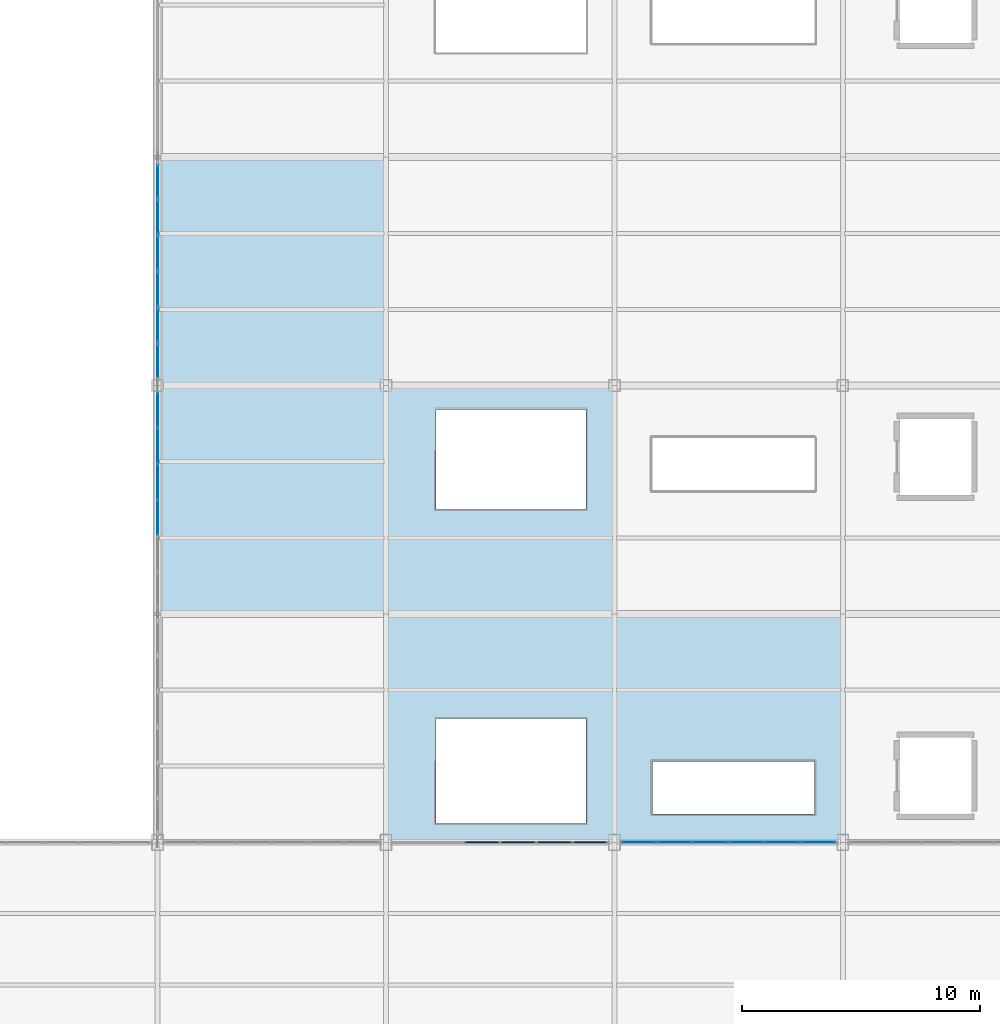
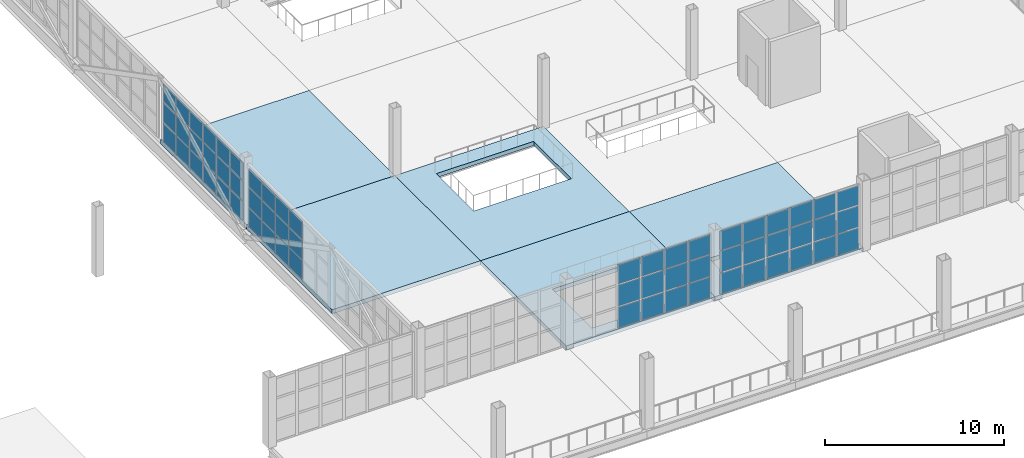
# One storey, part 83 of 120: 60 plates, 5 slabs, 4 elements without a shape of their own.
"""IFC4 building model written with IfcOpenShell, lengths in metres."""

from ifc_helpers import new_model, si_unit, direction, frame, origin, origin_2d, place, context, subcontext, project, spatial, polyline, rectangle, outline, extrude, material, layer, layer_set, type_object, element, aggregate, save


model = new_model("IFC4")

# Units and contexts
model_context = context("Model", 3, precision=1e-05, world=origin(), true_north=direction((0.0, 1.0)))
body_context = subcontext(model_context, "Body", "Model", "MODEL_VIEW")
ifc_project = project(units=[si_unit("LENGTHUNIT", "METRE"), si_unit("AREAUNIT", "SQUARE_METRE"), si_unit("VOLUMEUNIT", "CUBIC_METRE"), si_unit("PLANEANGLEUNIT", "RADIAN"), si_unit("MASSUNIT", "GRAM", prefix="KILO")], contexts=[model_context])

# Site, building, storey
site_placement = place(None, origin())
site = spatial("IfcSite", under=ifc_project, at=site_placement, CompositionType="ELEMENT")
building_placement = place(site_placement, origin())
building = spatial("IfcBuilding", under=site, at=building_placement, Name="Zarnetskaya Central Station", CompositionType="ELEMENT")
storey_placement = place(building_placement, frame((0.0, 0.0, 5.39990234375)))
storey = spatial("IfcBuildingStorey", under=building, at=storey_placement, Name="L01", CompositionType="ELEMENT", Elevation=5.39990234375)

# Curtain wall, plates
ifc_material_1 = material(Name="Low-E insulated glass", Category="glass")
ifc_layer_1 = layer(ifc_material_1, 0.172119140625, Name="Low-E insulated glass", Category="glass")
ifc_layer_set_1 = layer_set([ifc_layer_1], Name="Low-E insulated glass")
curtain_wall_type_1 = type_object("IfcCurtainWallType", Name="CW-SYS-14", PredefinedType="USERDEFINED", material=ifc_layer_set_1)
curtain_wall_1_placement = place(storey_placement, origin())
curtain_wall_1 = element("IfcCurtainWall", 1, at=curtain_wall_1_placement, inside=storey, type_object=curtain_wall_type_1, Name="Curtain wall CW-L01-081", ObjectType="CURTAIN WALL", PredefinedType="USERDEFINED")
ifc_layer_2 = layer(ifc_material_1, 0.031982421875, Name="Low-E insulated glass", Category="glass")
ifc_layer_set_2 = layer_set([ifc_layer_2], Name="Low-E insulated glass")
plate_type_1 = type_object("IfcPlateType", Name="CW-PAN-32", PredefinedType="CURTAIN_PANEL", material=ifc_layer_set_2)
plate_1_placement = place(storey_placement, frame((87.42578125, 67.199951171875, 0.0703125), z_axis=(0.0, 0.0, 1.0), x_axis=(1.0, 0.0, 0.0)))
plate_1 = element("IfcPlate", 2, at=plate_1_placement, type_object=plate_type_1, Name="CW-17 panel 1.1", PredefinedType="CURTAIN_PANEL", context=body_context, shape_type="SweptSolid", body=[
    extrude(rectangle(XDim=1.41162109375, YDim=0.031982421875, at=origin_2d()), origin(), (0.0, 0.0, 1.0), 1.407958984375),
])
plate_2_placement = place(storey_placement, frame((87.42578125, 67.199951171875, 1.5478515625), z_axis=(0.0, 0.0, 1.0), x_axis=(1.0, 0.0, 0.0)))
plate_2 = element("IfcPlate", 3, at=plate_2_placement, type_object=plate_type_1, Name="CW-17 panel 1.2", PredefinedType="CURTAIN_PANEL", context=body_context, shape_type="SweptSolid", body=[
    extrude(rectangle(XDim=1.41162109375, YDim=0.031982421875, at=origin_2d()), origin(), (0.0, 0.0, 1.0), 1.443115234375),
])
plate_3_placement = place(storey_placement, frame((87.42578125, 67.199951171875, 3.06103515625), z_axis=(0.0, 0.0, 1.0), x_axis=(1.0, 0.0, 0.0)))
plate_3 = element("IfcPlate", 4, at=plate_3_placement, type_object=plate_type_1, Name="CW-17 panel 1.3", PredefinedType="CURTAIN_PANEL", context=body_context, shape_type="SweptSolid", body=[
    extrude(rectangle(XDim=1.41162109375, YDim=0.031982421875, at=origin_2d()), origin(), (0.0, 0.0, 1.0), 1.319091796875),
])
plate_4_placement = place(storey_placement, frame((88.925048828125, 67.199951171875, 0.0703125), z_axis=(0.0, 0.0, 1.0), x_axis=(1.0, 0.0, 0.0)))
plate_4 = element("IfcPlate", 5, at=plate_4_placement, type_object=plate_type_1, Name="CW-17 panel 2.1", PredefinedType="CURTAIN_PANEL", context=body_context, shape_type="SweptSolid", body=[
    extrude(rectangle(XDim=1.44677734375, YDim=0.031982421875, at=origin_2d()), origin(), (0.0, 0.0, 1.0), 1.407958984375),
])
plate_5_placement = place(storey_placement, frame((88.925048828125, 67.199951171875, 1.5478515625), z_axis=(0.0, 0.0, 1.0), x_axis=(1.0, 0.0, 0.0)))
plate_5 = element("IfcPlate", 6, at=plate_5_placement, type_object=plate_type_1, Name="CW-17 panel 2.2", PredefinedType="CURTAIN_PANEL", context=body_context, shape_type="SweptSolid", body=[
    extrude(rectangle(XDim=1.44677734375, YDim=0.031982421875, at=origin_2d()), origin(), (0.0, 0.0, 1.0), 1.443115234375),
])
plate_6_placement = place(storey_placement, frame((88.925048828125, 67.199951171875, 3.06103515625), z_axis=(0.0, 0.0, 1.0), x_axis=(1.0, 0.0, 0.0)))
plate_6 = element("IfcPlate", 7, at=plate_6_placement, type_object=plate_type_1, Name="CW-17 panel 2.3", PredefinedType="CURTAIN_PANEL", context=body_context, shape_type="SweptSolid", body=[
    extrude(rectangle(XDim=1.44677734375, YDim=0.031982421875, at=origin_2d()), origin(), (0.0, 0.0, 1.0), 1.319091796875),
])
plate_7_placement = place(storey_placement, frame((90.441650390625, 67.199951171875, 0.0703125), z_axis=(0.0, 0.0, 1.0), x_axis=(1.0, 0.0, 0.0)))
plate_7 = element("IfcPlate", 8, at=plate_7_placement, type_object=plate_type_1, Name="CW-17 panel 3.1", PredefinedType="CURTAIN_PANEL", context=body_context, shape_type="SweptSolid", body=[
    extrude(rectangle(XDim=1.44677734375, YDim=0.031982421875, at=origin_2d()), origin(), (0.0, 0.0, 1.0), 1.407958984375),
])
plate_8_placement = place(storey_placement, frame((90.441650390625, 67.199951171875, 1.5478515625), z_axis=(0.0, 0.0, 1.0), x_axis=(1.0, 0.0, 0.0)))
plate_8 = element("IfcPlate", 9, at=plate_8_placement, type_object=plate_type_1, Name="CW-17 panel 3.2", PredefinedType="CURTAIN_PANEL", context=body_context, shape_type="SweptSolid", body=[
    extrude(rectangle(XDim=1.44677734375, YDim=0.031982421875, at=origin_2d()), origin(), (0.0, 0.0, 1.0), 1.443115234375),
])
plate_9_placement = place(storey_placement, frame((90.441650390625, 67.199951171875, 3.06103515625), z_axis=(0.0, 0.0, 1.0), x_axis=(1.0, 0.0, 0.0)))
plate_9 = element("IfcPlate", 10, at=plate_9_placement, type_object=plate_type_1, Name="CW-17 panel 3.3", PredefinedType="CURTAIN_PANEL", context=body_context, shape_type="SweptSolid", body=[
    extrude(rectangle(XDim=1.44677734375, YDim=0.031982421875, at=origin_2d()), origin(), (0.0, 0.0, 1.0), 1.319091796875),
])
plate_10_placement = place(storey_placement, frame((91.958251953125, 67.199951171875, 0.0703125), z_axis=(0.0, 0.0, 1.0), x_axis=(1.0, 0.0, 0.0)))
plate_10 = element("IfcPlate", 11, at=plate_10_placement, type_object=plate_type_1, Name="CW-17 panel 4.1", PredefinedType="CURTAIN_PANEL", context=body_context, shape_type="SweptSolid", body=[
    extrude(rectangle(XDim=1.44677734375, YDim=0.031982421875, at=origin_2d()), origin(), (0.0, 0.0, 1.0), 1.407958984375),
])
plate_11_placement = place(storey_placement, frame((91.958251953125, 67.199951171875, 1.5478515625), z_axis=(0.0, 0.0, 1.0), x_axis=(1.0, 0.0, 0.0)))
plate_11 = element("IfcPlate", 12, at=plate_11_placement, type_object=plate_type_1, Name="CW-17 panel 4.2", PredefinedType="CURTAIN_PANEL", context=body_context, shape_type="SweptSolid", body=[
    extrude(rectangle(XDim=1.44677734375, YDim=0.031982421875, at=origin_2d()), origin(), (0.0, 0.0, 1.0), 1.443115234375),
])
plate_12_placement = place(storey_placement, frame((91.958251953125, 67.199951171875, 3.06103515625), z_axis=(0.0, 0.0, 1.0), x_axis=(1.0, 0.0, 0.0)))
plate_12 = element("IfcPlate", 13, at=plate_12_placement, type_object=plate_type_1, Name="CW-17 panel 4.3", PredefinedType="CURTAIN_PANEL", context=body_context, shape_type="SweptSolid", body=[
    extrude(rectangle(XDim=1.44677734375, YDim=0.031982421875, at=origin_2d()), origin(), (0.0, 0.0, 1.0), 1.319091796875),
])
plate_13_placement = place(storey_placement, frame((93.47509765625, 67.199951171875, 0.0703125), z_axis=(0.0, 0.0, 1.0), x_axis=(1.0, 0.0, 0.0)))
plate_13 = element("IfcPlate", 14, at=plate_13_placement, type_object=plate_type_1, Name="CW-17 panel 5.1", PredefinedType="CURTAIN_PANEL", context=body_context, shape_type="SweptSolid", body=[
    extrude(rectangle(XDim=1.44677734375, YDim=0.031982421875, at=origin_2d()), origin(), (0.0, 0.0, 1.0), 1.407958984375),
])
plate_14_placement = place(storey_placement, frame((93.47509765625, 67.199951171875, 1.5478515625), z_axis=(0.0, 0.0, 1.0), x_axis=(1.0, 0.0, 0.0)))
plate_14 = element("IfcPlate", 15, at=plate_14_placement, type_object=plate_type_1, Name="CW-17 panel 5.2", PredefinedType="CURTAIN_PANEL", context=body_context, shape_type="SweptSolid", body=[
    extrude(rectangle(XDim=1.44677734375, YDim=0.031982421875, at=origin_2d()), origin(), (0.0, 0.0, 1.0), 1.443115234375),
])
plate_15_placement = place(storey_placement, frame((93.47509765625, 67.199951171875, 3.06103515625), z_axis=(0.0, 0.0, 1.0), x_axis=(1.0, 0.0, 0.0)))
plate_15 = element("IfcPlate", 16, at=plate_15_placement, type_object=plate_type_1, Name="CW-17 panel 5.3", PredefinedType="CURTAIN_PANEL", context=body_context, shape_type="SweptSolid", body=[
    extrude(rectangle(XDim=1.44677734375, YDim=0.031982421875, at=origin_2d()), origin(), (0.0, 0.0, 1.0), 1.319091796875),
])
plate_16_placement = place(storey_placement, frame((94.97412109375, 67.199951171875, 0.0703125), z_axis=(0.0, 0.0, 1.0), x_axis=(1.0, 0.0, 0.0)))
plate_16 = element("IfcPlate", 17, at=plate_16_placement, type_object=plate_type_1, Name="CW-17 panel 6.1", PredefinedType="CURTAIN_PANEL", context=body_context, shape_type="SweptSolid", body=[
    extrude(rectangle(XDim=1.41162109375, YDim=0.031982421875, at=origin_2d()), origin(), (0.0, 0.0, 1.0), 1.407958984375),
])
plate_17_placement = place(storey_placement, frame((94.97412109375, 67.199951171875, 1.5478515625), z_axis=(0.0, 0.0, 1.0), x_axis=(1.0, 0.0, 0.0)))
plate_17 = element("IfcPlate", 18, at=plate_17_placement, type_object=plate_type_1, Name="CW-17 panel 6.2", PredefinedType="CURTAIN_PANEL", context=body_context, shape_type="SweptSolid", body=[
    extrude(rectangle(XDim=1.41162109375, YDim=0.031982421875, at=origin_2d()), origin(), (0.0, 0.0, 1.0), 1.443115234375),
])
plate_18_placement = place(storey_placement, frame((94.97412109375, 67.199951171875, 3.06103515625), z_axis=(0.0, 0.0, 1.0), x_axis=(1.0, 0.0, 0.0)))
plate_18 = element("IfcPlate", 19, at=plate_18_placement, type_object=plate_type_1, Name="CW-17 panel 6.3", PredefinedType="CURTAIN_PANEL", context=body_context, shape_type="SweptSolid", body=[
    extrude(rectangle(XDim=1.41162109375, YDim=0.031982421875, at=origin_2d()), origin(), (0.0, 0.0, 1.0), 1.319091796875),
])
aggregate(curtain_wall_1, [plate_1, plate_2, plate_3, plate_4, plate_5, plate_6, plate_7, plate_8, plate_9, plate_10, plate_11, plate_12, plate_13, plate_14, plate_15, plate_16, plate_17, plate_18])

ifc_layer_3 = layer(ifc_material_1, 0.172119140625, Name="Low-E insulated glass", Category="glass")
ifc_layer_set_3 = layer_set([ifc_layer_3], Name="Low-E insulated glass")
curtain_wall_type_2 = type_object("IfcCurtainWallType", Name="CW-SYS-09", PredefinedType="USERDEFINED", material=ifc_layer_set_3)
curtain_wall_2_placement = place(storey_placement, origin())
curtain_wall_2 = element("IfcCurtainWall", 20, at=curtain_wall_2_placement, inside=storey, type_object=curtain_wall_type_2, Name="Curtain wall CW-L01-147", ObjectType="CURTAIN WALL", PredefinedType="USERDEFINED")
ifc_layer_4 = layer(ifc_material_1, 0.035888671875, Name="Low-E insulated glass", Category="glass")
ifc_layer_set_4 = layer_set([ifc_layer_4], Name="Low-E insulated glass")
plate_type_2 = type_object("IfcPlateType", Name="CW-PAN-36", PredefinedType="CURTAIN_PANEL", material=ifc_layer_set_4)
plate_19_placement = place(storey_placement, frame((67.199951171875, 80.841552734375, 0.070068359375), z_axis=(0.0, 0.0, 1.0), x_axis=(0.0, 1.0, 0.0)))
plate_19 = element("IfcPlate", 21, at=plate_19_placement, type_object=plate_type_2, Name="CW-07 panel 3.1", PredefinedType="CURTAIN_PANEL", context=body_context, shape_type="SweptSolid", body=[
    extrude(rectangle(XDim=1.44677734375, YDim=0.035888671875, at=origin_2d()), origin(), (0.0, 0.0, 1.0), 1.2890625),
])
plate_20_placement = place(storey_placement, frame((67.199951171875, 80.841552734375, 1.42919921875), z_axis=(0.0, 0.0, 1.0), x_axis=(0.0, 1.0, 0.0)))
plate_20 = element("IfcPlate", 22, at=plate_20_placement, type_object=plate_type_2, Name="CW-07 panel 3.2", PredefinedType="CURTAIN_PANEL", context=body_context, shape_type="SweptSolid", body=[
    extrude(rectangle(XDim=1.44677734375, YDim=0.035888671875, at=origin_2d()), origin(), (0.0, 0.0, 1.0), 1.323974609375),
])
plate_21_placement = place(storey_placement, frame((67.199951171875, 80.841552734375, 2.822998046875), z_axis=(0.0, 0.0, 1.0), x_axis=(0.0, 1.0, 0.0)))
plate_21 = element("IfcPlate", 23, at=plate_21_placement, type_object=plate_type_2, Name="CW-07 panel 3.3", PredefinedType="CURTAIN_PANEL", context=body_context, shape_type="SweptSolid", body=[
    extrude(rectangle(XDim=1.44677734375, YDim=0.035888671875, at=origin_2d()), origin(), (0.0, 0.0, 1.0), 1.20703125),
])
plate_22_placement = place(storey_placement, frame((67.199951171875, 82.3583984375, 0.070068359375), z_axis=(0.0, 0.0, 1.0), x_axis=(0.0, 1.0, 0.0)))
plate_22 = element("IfcPlate", 24, at=plate_22_placement, type_object=plate_type_2, Name="CW-07 panel 4.1", PredefinedType="CURTAIN_PANEL", context=body_context, shape_type="SweptSolid", body=[
    extrude(rectangle(XDim=1.44677734375, YDim=0.035888671875, at=origin_2d()), origin(), (0.0, 0.0, 1.0), 1.2890625),
])
plate_23_placement = place(storey_placement, frame((67.199951171875, 82.3583984375, 1.42919921875), z_axis=(0.0, 0.0, 1.0), x_axis=(0.0, 1.0, 0.0)))
plate_23 = element("IfcPlate", 25, at=plate_23_placement, type_object=plate_type_2, Name="CW-07 panel 4.2", PredefinedType="CURTAIN_PANEL", context=body_context, shape_type="SweptSolid", body=[
    extrude(rectangle(XDim=1.44677734375, YDim=0.035888671875, at=origin_2d()), origin(), (0.0, 0.0, 1.0), 1.323974609375),
])
plate_24_placement = place(storey_placement, frame((67.199951171875, 82.3583984375, 2.822998046875), z_axis=(0.0, 0.0, 1.0), x_axis=(0.0, 1.0, 0.0)))
plate_24 = element("IfcPlate", 26, at=plate_24_placement, type_object=plate_type_2, Name="CW-07 panel 4.3", PredefinedType="CURTAIN_PANEL", context=body_context, shape_type="SweptSolid", body=[
    extrude(rectangle(XDim=1.44677734375, YDim=0.035888671875, at=origin_2d()), origin(), (0.0, 0.0, 1.0), 1.20703125),
])
plate_25_placement = place(storey_placement, frame((67.199951171875, 83.875, 0.070068359375), z_axis=(0.0, 0.0, 1.0), x_axis=(0.0, 1.0, 0.0)))
plate_25 = element("IfcPlate", 27, at=plate_25_placement, type_object=plate_type_2, Name="CW-07 panel 5.1", PredefinedType="CURTAIN_PANEL", context=body_context, shape_type="SweptSolid", body=[
    extrude(rectangle(XDim=1.44677734375, YDim=0.035888671875, at=origin_2d()), origin(), (0.0, 0.0, 1.0), 1.2890625),
])
plate_26_placement = place(storey_placement, frame((67.199951171875, 83.875, 1.42919921875), z_axis=(0.0, 0.0, 1.0), x_axis=(0.0, 1.0, 0.0)))
plate_26 = element("IfcPlate", 28, at=plate_26_placement, type_object=plate_type_2, Name="CW-07 panel 5.2", PredefinedType="CURTAIN_PANEL", context=body_context, shape_type="SweptSolid", body=[
    extrude(rectangle(XDim=1.44677734375, YDim=0.035888671875, at=origin_2d()), origin(), (0.0, 0.0, 1.0), 1.323974609375),
])
plate_27_placement = place(storey_placement, frame((67.199951171875, 83.875, 2.822998046875), z_axis=(0.0, 0.0, 1.0), x_axis=(0.0, 1.0, 0.0)))
plate_27 = element("IfcPlate", 29, at=plate_27_placement, type_object=plate_type_2, Name="CW-07 panel 5.3", PredefinedType="CURTAIN_PANEL", context=body_context, shape_type="SweptSolid", body=[
    extrude(rectangle(XDim=1.44677734375, YDim=0.035888671875, at=origin_2d()), origin(), (0.0, 0.0, 1.0), 1.20703125),
])
plate_28_placement = place(storey_placement, frame((67.199951171875, 85.374267578125, 0.070068359375), z_axis=(0.0, 0.0, 1.0), x_axis=(0.0, 1.0, 0.0)))
plate_28 = element("IfcPlate", 30, at=plate_28_placement, type_object=plate_type_2, Name="CW-07 panel 6.1", PredefinedType="CURTAIN_PANEL", context=body_context, shape_type="SweptSolid", body=[
    extrude(rectangle(XDim=1.41162109375, YDim=0.035888671875, at=origin_2d()), origin(), (0.0, 0.0, 1.0), 1.2890625),
])
plate_29_placement = place(storey_placement, frame((67.199951171875, 85.374267578125, 1.42919921875), z_axis=(0.0, 0.0, 1.0), x_axis=(0.0, 1.0, 0.0)))
plate_29 = element("IfcPlate", 31, at=plate_29_placement, type_object=plate_type_2, Name="CW-07 panel 6.2", PredefinedType="CURTAIN_PANEL", context=body_context, shape_type="SweptSolid", body=[
    extrude(rectangle(XDim=1.41162109375, YDim=0.035888671875, at=origin_2d()), origin(), (0.0, 0.0, 1.0), 1.323974609375),
])
plate_30_placement = place(storey_placement, frame((67.199951171875, 85.374267578125, 2.822998046875), z_axis=(0.0, 0.0, 1.0), x_axis=(0.0, 1.0, 0.0)))
plate_30 = element("IfcPlate", 32, at=plate_30_placement, type_object=plate_type_2, Name="CW-07 panel 6.3", PredefinedType="CURTAIN_PANEL", context=body_context, shape_type="SweptSolid", body=[
    extrude(rectangle(XDim=1.41162109375, YDim=0.035888671875, at=origin_2d()), origin(), (0.0, 0.0, 1.0), 1.20703125),
])
aggregate(curtain_wall_2, [plate_19, plate_20, plate_21, plate_22, plate_23, plate_24, plate_25, plate_26, plate_27, plate_28, plate_29, plate_30])

curtain_wall_3_placement = place(storey_placement, origin())
curtain_wall_3 = element("IfcCurtainWall", 33, at=curtain_wall_3_placement, inside=storey, type_object=curtain_wall_type_2, Name="Curtain wall CW-L01-148", ObjectType="CURTAIN WALL", PredefinedType="USERDEFINED")
ifc_layer_5 = layer(ifc_material_1, 0.0400390625, Name="Low-E insulated glass", Category="glass")
ifc_layer_set_5 = layer_set([ifc_layer_5], Name="Low-E insulated glass")
plate_type_3 = type_object("IfcPlateType", Name="CW-PAN-40", PredefinedType="CURTAIN_PANEL", material=ifc_layer_set_5)
plate_31_placement = place(storey_placement, frame((67.199951171875, 87.42822265625, 0.080078125), z_axis=(0.0, 0.0, 1.0), x_axis=(0.0, 1.0, 0.0)))
plate_31 = element("IfcPlate", 34, at=plate_31_placement, type_object=plate_type_3, Name="CW-07 panel 1.1", PredefinedType="CURTAIN_PANEL", context=body_context, shape_type="SweptSolid", body=[
    extrude(rectangle(XDim=1.396728515625, YDim=0.0400390625, at=origin_2d()), origin(), (0.0, 0.0, 1.0), 1.27392578125),
])
plate_32_placement = place(storey_placement, frame((67.199951171875, 87.42822265625, 1.43408203125), z_axis=(0.0, 0.0, 1.0), x_axis=(0.0, 1.0, 0.0)))
plate_32 = element("IfcPlate", 35, at=plate_32_placement, type_object=plate_type_3, Name="CW-07 panel 1.2", PredefinedType="CURTAIN_PANEL", context=body_context, shape_type="SweptSolid", body=[
    extrude(rectangle(XDim=1.396728515625, YDim=0.0400390625, at=origin_2d()), origin(), (0.0, 0.0, 1.0), 1.31396484375),
])
plate_33_placement = place(storey_placement, frame((67.199951171875, 87.42822265625, 2.828125), z_axis=(0.0, 0.0, 1.0), x_axis=(0.0, 1.0, 0.0)))
plate_33 = element("IfcPlate", 36, at=plate_33_placement, type_object=plate_type_3, Name="CW-07 panel 1.3", PredefinedType="CURTAIN_PANEL", context=body_context, shape_type="SweptSolid", body=[
    extrude(rectangle(XDim=1.396728515625, YDim=0.0400390625, at=origin_2d()), origin(), (0.0, 0.0, 1.0), 1.19189453125),
])
plate_34_placement = place(storey_placement, frame((67.199951171875, 88.925048828125, 0.080078125), z_axis=(0.0, 0.0, 1.0), x_axis=(0.0, 1.0, 0.0)))
plate_34 = element("IfcPlate", 37, at=plate_34_placement, type_object=plate_type_3, Name="CW-07 panel 2.1", PredefinedType="CURTAIN_PANEL", context=body_context, shape_type="SweptSolid", body=[
    extrude(rectangle(XDim=1.436767578125, YDim=0.0400390625, at=origin_2d()), origin(), (0.0, 0.0, 1.0), 1.27392578125),
])
plate_35_placement = place(storey_placement, frame((67.199951171875, 88.925048828125, 1.43408203125), z_axis=(0.0, 0.0, 1.0), x_axis=(0.0, 1.0, 0.0)))
plate_35 = element("IfcPlate", 38, at=plate_35_placement, type_object=plate_type_3, Name="CW-07 panel 2.2", PredefinedType="CURTAIN_PANEL", context=body_context, shape_type="SweptSolid", body=[
    extrude(rectangle(XDim=1.436767578125, YDim=0.0400390625, at=origin_2d()), origin(), (0.0, 0.0, 1.0), 1.31396484375),
])
plate_36_placement = place(storey_placement, frame((67.199951171875, 88.925048828125, 2.828125), z_axis=(0.0, 0.0, 1.0), x_axis=(0.0, 1.0, 0.0)))
plate_36 = element("IfcPlate", 39, at=plate_36_placement, type_object=plate_type_3, Name="CW-07 panel 2.3", PredefinedType="CURTAIN_PANEL", context=body_context, shape_type="SweptSolid", body=[
    extrude(rectangle(XDim=1.436767578125, YDim=0.0400390625, at=origin_2d()), origin(), (0.0, 0.0, 1.0), 1.19189453125),
])
plate_37_placement = place(storey_placement, frame((67.199951171875, 90.441650390625, 0.080078125), z_axis=(0.0, 0.0, 1.0), x_axis=(0.0, 1.0, 0.0)))
plate_37 = element("IfcPlate", 40, at=plate_37_placement, type_object=plate_type_3, Name="CW-07 panel 3.1", PredefinedType="CURTAIN_PANEL", context=body_context, shape_type="SweptSolid", body=[
    extrude(rectangle(XDim=1.436767578125, YDim=0.0400390625, at=origin_2d()), origin(), (0.0, 0.0, 1.0), 1.27392578125),
])
plate_38_placement = place(storey_placement, frame((67.199951171875, 90.441650390625, 1.43408203125), z_axis=(0.0, 0.0, 1.0), x_axis=(0.0, 1.0, 0.0)))
plate_38 = element("IfcPlate", 41, at=plate_38_placement, type_object=plate_type_3, Name="CW-07 panel 3.2", PredefinedType="CURTAIN_PANEL", context=body_context, shape_type="SweptSolid", body=[
    extrude(rectangle(XDim=1.436767578125, YDim=0.0400390625, at=origin_2d()), origin(), (0.0, 0.0, 1.0), 1.31396484375),
])
plate_39_placement = place(storey_placement, frame((67.199951171875, 90.441650390625, 2.828125), z_axis=(0.0, 0.0, 1.0), x_axis=(0.0, 1.0, 0.0)))
plate_39 = element("IfcPlate", 42, at=plate_39_placement, type_object=plate_type_3, Name="CW-07 panel 3.3", PredefinedType="CURTAIN_PANEL", context=body_context, shape_type="SweptSolid", body=[
    extrude(rectangle(XDim=1.436767578125, YDim=0.0400390625, at=origin_2d()), origin(), (0.0, 0.0, 1.0), 1.19189453125),
])
plate_40_placement = place(storey_placement, frame((67.199951171875, 91.958251953125, 0.080078125), z_axis=(0.0, 0.0, 1.0), x_axis=(0.0, 1.0, 0.0)))
plate_40 = element("IfcPlate", 43, at=plate_40_placement, type_object=plate_type_3, Name="CW-07 panel 4.1", PredefinedType="CURTAIN_PANEL", context=body_context, shape_type="SweptSolid", body=[
    extrude(rectangle(XDim=1.436767578125, YDim=0.0400390625, at=origin_2d()), origin(), (0.0, 0.0, 1.0), 1.27392578125),
])
plate_41_placement = place(storey_placement, frame((67.199951171875, 91.958251953125, 1.43408203125), z_axis=(0.0, 0.0, 1.0), x_axis=(0.0, 1.0, 0.0)))
plate_41 = element("IfcPlate", 44, at=plate_41_placement, type_object=plate_type_3, Name="CW-07 panel 4.2", PredefinedType="CURTAIN_PANEL", context=body_context, shape_type="SweptSolid", body=[
    extrude(rectangle(XDim=1.436767578125, YDim=0.0400390625, at=origin_2d()), origin(), (0.0, 0.0, 1.0), 1.31396484375),
])
plate_42_placement = place(storey_placement, frame((67.199951171875, 91.958251953125, 2.828125), z_axis=(0.0, 0.0, 1.0), x_axis=(0.0, 1.0, 0.0)))
plate_42 = element("IfcPlate", 45, at=plate_42_placement, type_object=plate_type_3, Name="CW-07 panel 4.3", PredefinedType="CURTAIN_PANEL", context=body_context, shape_type="SweptSolid", body=[
    extrude(rectangle(XDim=1.436767578125, YDim=0.0400390625, at=origin_2d()), origin(), (0.0, 0.0, 1.0), 1.19189453125),
])
plate_43_placement = place(storey_placement, frame((67.199951171875, 93.47509765625, 0.080078125), z_axis=(0.0, 0.0, 1.0), x_axis=(0.0, 1.0, 0.0)))
plate_43 = element("IfcPlate", 46, at=plate_43_placement, type_object=plate_type_3, Name="CW-07 panel 5.1", PredefinedType="CURTAIN_PANEL", context=body_context, shape_type="SweptSolid", body=[
    extrude(rectangle(XDim=1.436767578125, YDim=0.0400390625, at=origin_2d()), origin(), (0.0, 0.0, 1.0), 1.27392578125),
])
plate_44_placement = place(storey_placement, frame((67.199951171875, 93.47509765625, 1.43408203125), z_axis=(0.0, 0.0, 1.0), x_axis=(0.0, 1.0, 0.0)))
plate_44 = element("IfcPlate", 47, at=plate_44_placement, type_object=plate_type_3, Name="CW-07 panel 5.2", PredefinedType="CURTAIN_PANEL", context=body_context, shape_type="SweptSolid", body=[
    extrude(rectangle(XDim=1.436767578125, YDim=0.0400390625, at=origin_2d()), origin(), (0.0, 0.0, 1.0), 1.31396484375),
])
plate_45_placement = place(storey_placement, frame((67.199951171875, 93.47509765625, 2.828125), z_axis=(0.0, 0.0, 1.0), x_axis=(0.0, 1.0, 0.0)))
plate_45 = element("IfcPlate", 48, at=plate_45_placement, type_object=plate_type_3, Name="CW-07 panel 5.3", PredefinedType="CURTAIN_PANEL", context=body_context, shape_type="SweptSolid", body=[
    extrude(rectangle(XDim=1.436767578125, YDim=0.0400390625, at=origin_2d()), origin(), (0.0, 0.0, 1.0), 1.19189453125),
])
plate_46_placement = place(storey_placement, frame((67.199951171875, 94.9716796875, 0.080078125), z_axis=(0.0, 0.0, 1.0), x_axis=(0.0, 1.0, 0.0)))
plate_46 = element("IfcPlate", 49, at=plate_46_placement, type_object=plate_type_3, Name="CW-07 panel 6.1", PredefinedType="CURTAIN_PANEL", context=body_context, shape_type="SweptSolid", body=[
    extrude(rectangle(XDim=1.396728515625, YDim=0.0400390625, at=origin_2d()), origin(), (0.0, 0.0, 1.0), 1.27392578125),
])
plate_47_placement = place(storey_placement, frame((67.199951171875, 94.9716796875, 1.43408203125), z_axis=(0.0, 0.0, 1.0), x_axis=(0.0, 1.0, 0.0)))
plate_47 = element("IfcPlate", 50, at=plate_47_placement, type_object=plate_type_3, Name="CW-07 panel 6.2", PredefinedType="CURTAIN_PANEL", context=body_context, shape_type="SweptSolid", body=[
    extrude(rectangle(XDim=1.396728515625, YDim=0.0400390625, at=origin_2d()), origin(), (0.0, 0.0, 1.0), 1.31396484375),
])
plate_48_placement = place(storey_placement, frame((67.199951171875, 94.9716796875, 2.828125), z_axis=(0.0, 0.0, 1.0), x_axis=(0.0, 1.0, 0.0)))
plate_48 = element("IfcPlate", 51, at=plate_48_placement, type_object=plate_type_3, Name="CW-07 panel 6.3", PredefinedType="CURTAIN_PANEL", context=body_context, shape_type="SweptSolid", body=[
    extrude(rectangle(XDim=1.396728515625, YDim=0.0400390625, at=origin_2d()), origin(), (0.0, 0.0, 1.0), 1.19189453125),
])
aggregate(curtain_wall_3, [plate_31, plate_32, plate_33, plate_34, plate_35, plate_36, plate_37, plate_38, plate_39, plate_40, plate_41, plate_42, plate_43, plate_44, plate_45, plate_46, plate_47, plate_48])

ifc_layer_6 = layer(ifc_material_1, 0.16796875, Name="Low-E insulated glass", Category="glass")
ifc_layer_set_6 = layer_set([ifc_layer_6], Name="Low-E insulated glass")
curtain_wall_type_3 = type_object("IfcCurtainWallType", Name="CW-SYS-13", PredefinedType="USERDEFINED", material=ifc_layer_set_6)
curtain_wall_4_placement = place(storey_placement, origin())
curtain_wall_4 = element("IfcCurtainWall", 52, at=curtain_wall_4_placement, inside=storey, type_object=curtain_wall_type_3, Name="Curtain wall CW-L01-079", ObjectType="CURTAIN WALL", PredefinedType="USERDEFINED")
ifc_layer_7 = layer(ifc_material_1, 0.0439453125, Name="Low-E insulated glass", Category="glass")
ifc_layer_set_7 = layer_set([ifc_layer_7], Name="Low-E insulated glass")
plate_type_4 = type_object("IfcPlateType", Name="CW-PAN-44", PredefinedType="CURTAIN_PANEL", material=ifc_layer_set_7)
plate_49_placement = place(storey_placement, frame((80.841552734375, 67.199951171875, 0.0703125), z_axis=(0.0, 0.0, 1.0), x_axis=(1.0, 0.0, 0.0)))
plate_49 = element("IfcPlate", 53, at=plate_49_placement, type_object=plate_type_4, Name="CW-04 panel 3.1", PredefinedType="CURTAIN_PANEL", context=body_context, shape_type="SweptSolid", body=[
    extrude(rectangle(XDim=1.44677734375, YDim=0.0439453125, at=origin_2d()), origin(), (0.0, 0.0, 1.0), 1.407958984375),
])
plate_50_placement = place(storey_placement, frame((80.841552734375, 67.199951171875, 1.5478515625), z_axis=(0.0, 0.0, 1.0), x_axis=(1.0, 0.0, 0.0)))
plate_50 = element("IfcPlate", 54, at=plate_50_placement, type_object=plate_type_4, Name="CW-04 panel 3.2", PredefinedType="CURTAIN_PANEL", context=body_context, shape_type="SweptSolid", body=[
    extrude(rectangle(XDim=1.44677734375, YDim=0.0439453125, at=origin_2d()), origin(), (0.0, 0.0, 1.0), 1.443115234375),
])
plate_51_placement = place(storey_placement, frame((80.841552734375, 67.199951171875, 3.06103515625), z_axis=(0.0, 0.0, 1.0), x_axis=(1.0, 0.0, 0.0)))
plate_51 = element("IfcPlate", 55, at=plate_51_placement, type_object=plate_type_4, Name="CW-04 panel 3.3", PredefinedType="CURTAIN_PANEL", context=body_context, shape_type="SweptSolid", body=[
    extrude(rectangle(XDim=1.44677734375, YDim=0.0439453125, at=origin_2d()), origin(), (0.0, 0.0, 1.0), 1.319091796875),
])
plate_52_placement = place(storey_placement, frame((82.3583984375, 67.199951171875, 0.0703125), z_axis=(0.0, 0.0, 1.0), x_axis=(1.0, 0.0, 0.0)))
plate_52 = element("IfcPlate", 56, at=plate_52_placement, type_object=plate_type_4, Name="CW-04 panel 4.1", PredefinedType="CURTAIN_PANEL", context=body_context, shape_type="SweptSolid", body=[
    extrude(rectangle(XDim=1.44677734375, YDim=0.0439453125, at=origin_2d()), origin(), (0.0, 0.0, 1.0), 1.407958984375),
])
plate_53_placement = place(storey_placement, frame((82.3583984375, 67.199951171875, 1.5478515625), z_axis=(0.0, 0.0, 1.0), x_axis=(1.0, 0.0, 0.0)))
plate_53 = element("IfcPlate", 57, at=plate_53_placement, type_object=plate_type_4, Name="CW-04 panel 4.2", PredefinedType="CURTAIN_PANEL", context=body_context, shape_type="SweptSolid", body=[
    extrude(rectangle(XDim=1.44677734375, YDim=0.0439453125, at=origin_2d()), origin(), (0.0, 0.0, 1.0), 1.443115234375),
])
plate_54_placement = place(storey_placement, frame((82.3583984375, 67.199951171875, 3.06103515625), z_axis=(0.0, 0.0, 1.0), x_axis=(1.0, 0.0, 0.0)))
plate_54 = element("IfcPlate", 58, at=plate_54_placement, type_object=plate_type_4, Name="CW-04 panel 4.3", PredefinedType="CURTAIN_PANEL", context=body_context, shape_type="SweptSolid", body=[
    extrude(rectangle(XDim=1.44677734375, YDim=0.0439453125, at=origin_2d()), origin(), (0.0, 0.0, 1.0), 1.319091796875),
])
plate_55_placement = place(storey_placement, frame((83.875, 67.199951171875, 0.0703125), z_axis=(0.0, 0.0, 1.0), x_axis=(1.0, 0.0, 0.0)))
plate_55 = element("IfcPlate", 59, at=plate_55_placement, type_object=plate_type_4, Name="CW-04 panel 5.1", PredefinedType="CURTAIN_PANEL", context=body_context, shape_type="SweptSolid", body=[
    extrude(rectangle(XDim=1.44677734375, YDim=0.0439453125, at=origin_2d()), origin(), (0.0, 0.0, 1.0), 1.407958984375),
])
plate_56_placement = place(storey_placement, frame((83.875, 67.199951171875, 1.5478515625), z_axis=(0.0, 0.0, 1.0), x_axis=(1.0, 0.0, 0.0)))
plate_56 = element("IfcPlate", 60, at=plate_56_placement, type_object=plate_type_4, Name="CW-04 panel 5.2", PredefinedType="CURTAIN_PANEL", context=body_context, shape_type="SweptSolid", body=[
    extrude(rectangle(XDim=1.44677734375, YDim=0.0439453125, at=origin_2d()), origin(), (0.0, 0.0, 1.0), 1.443115234375),
])
plate_57_placement = place(storey_placement, frame((83.875, 67.199951171875, 3.06103515625), z_axis=(0.0, 0.0, 1.0), x_axis=(1.0, 0.0, 0.0)))
plate_57 = element("IfcPlate", 61, at=plate_57_placement, type_object=plate_type_4, Name="CW-04 panel 5.3", PredefinedType="CURTAIN_PANEL", context=body_context, shape_type="SweptSolid", body=[
    extrude(rectangle(XDim=1.44677734375, YDim=0.0439453125, at=origin_2d()), origin(), (0.0, 0.0, 1.0), 1.319091796875),
])
plate_58_placement = place(storey_placement, frame((85.374267578125, 67.199951171875, 0.0703125), z_axis=(0.0, 0.0, 1.0), x_axis=(1.0, 0.0, 0.0)))
plate_58 = element("IfcPlate", 62, at=plate_58_placement, type_object=plate_type_4, Name="CW-04 panel 6.1", PredefinedType="CURTAIN_PANEL", context=body_context, shape_type="SweptSolid", body=[
    extrude(rectangle(XDim=1.41162109375, YDim=0.0439453125, at=origin_2d()), origin(), (0.0, 0.0, 1.0), 1.407958984375),
])
plate_59_placement = place(storey_placement, frame((85.374267578125, 67.199951171875, 1.5478515625), z_axis=(0.0, 0.0, 1.0), x_axis=(1.0, 0.0, 0.0)))
plate_59 = element("IfcPlate", 63, at=plate_59_placement, type_object=plate_type_4, Name="CW-04 panel 6.2", PredefinedType="CURTAIN_PANEL", context=body_context, shape_type="SweptSolid", body=[
    extrude(rectangle(XDim=1.41162109375, YDim=0.0439453125, at=origin_2d()), origin(), (0.0, 0.0, 1.0), 1.443115234375),
])
plate_60_placement = place(storey_placement, frame((85.374267578125, 67.199951171875, 3.06103515625), z_axis=(0.0, 0.0, 1.0), x_axis=(1.0, 0.0, 0.0)))
plate_60 = element("IfcPlate", 64, at=plate_60_placement, type_object=plate_type_4, Name="CW-04 panel 6.3", PredefinedType="CURTAIN_PANEL", context=body_context, shape_type="SweptSolid", body=[
    extrude(rectangle(XDim=1.41162109375, YDim=0.0439453125, at=origin_2d()), origin(), (0.0, 0.0, 1.0), 1.319091796875),
])
aggregate(curtain_wall_4, [plate_49, plate_50, plate_51, plate_52, plate_53, plate_54, plate_55, plate_56, plate_57, plate_58, plate_59, plate_60])

# Slabs
ifc_material_2 = material(Name="Concrete C30/37", Category="concrete")
ifc_layer_8 = layer(ifc_material_2, 0.280029296875, Name="Concrete C30/37", Category="concrete")
ifc_layer_set_8 = layer_set([ifc_layer_8], Name="Concrete C30/37")
slab_type = type_object("IfcSlabType", Name="SLAB-BRG-280", PredefinedType="FLOOR", material=ifc_layer_set_8)
slab_1_placement = place(storey_placement, frame((0.0, 0.0, -0.27978515625)))
element("IfcSlab", 65, at=slab_1_placement, inside=storey, type_object=slab_type, Name="L01 slab H-J/10-11", PredefinedType="FLOOR", context=body_context, shape_type="SweptSolid", body=[
    extrude(outline(polyline([(67.199951171875, 76.800048828125), (76.800048828125, 76.800048828125), (76.800048828125, 86.39990234375), (67.199951171875, 86.39990234375), (67.199951171875, 76.800048828125)])), origin(), (0.0, 0.0, 1.0), 0.27978515625),
])
slab_2_placement = place(storey_placement, frame((0.0, 0.0, -0.27978515625)))
element("IfcSlab", 66, at=slab_2_placement, inside=storey, type_object=slab_type, Name="L01 slab H-J/11-12", PredefinedType="FLOOR", context=body_context, shape_type="SweptSolid", body=[
    extrude(outline(polyline([(67.199951171875, 86.39990234375), (76.800048828125, 86.39990234375), (76.800048828125, 96.0), (67.199951171875, 96.0), (67.199951171875, 86.39990234375)])), origin(), (0.0, 0.0, 1.0), 0.27978515625),
])
slab_3_placement = place(storey_placement, frame((0.0, 0.0, -0.27978515625)))
element("IfcSlab", 67, at=slab_3_placement, inside=storey, type_object=slab_type, Name="L01 slab J-K/9-10", PredefinedType="FLOOR", context=body_context, shape_type="SweptSolid", body=[
    extrude(outline(polyline([(76.800048828125, 67.199951171875), (86.39990234375, 67.199951171875), (86.39990234375, 76.800048828125), (76.800048828125, 76.800048828125), (76.800048828125, 67.199951171875)]), holes=[polyline([(78.905029296875, 68.0), (85.199951171875, 68.0), (85.199951171875, 72.39990234375), (78.905029296875, 72.39990234375), (78.905029296875, 68.0)])]), origin(), (0.0, 0.0, 1.0), 0.27978515625),
])
slab_4_placement = place(storey_placement, frame((0.0, 0.0, -0.27978515625)))
element("IfcSlab", 68, at=slab_4_placement, inside=storey, type_object=slab_type, Name="L01 slab J-K/10-11", PredefinedType="FLOOR", context=body_context, shape_type="SweptSolid", body=[
    extrude(outline(polyline([(76.800048828125, 76.800048828125), (86.39990234375, 76.800048828125), (86.39990234375, 86.39990234375), (76.800048828125, 86.39990234375), (76.800048828125, 76.800048828125)]), holes=[polyline([(78.905029296875, 81.199951171875), (85.199951171875, 81.199951171875), (85.199951171875, 85.39990234375), (78.905029296875, 85.39990234375), (78.905029296875, 81.199951171875)])]), origin(), (0.0, 0.0, 1.0), 0.27978515625),
])
slab_5_placement = place(storey_placement, frame((0.0, 0.0, -0.27978515625)))
element("IfcSlab", 69, at=slab_5_placement, inside=storey, type_object=slab_type, Name="L01 slab K-L/9-10", PredefinedType="FLOOR", context=body_context, shape_type="SweptSolid", body=[
    extrude(outline(polyline([(86.39990234375, 67.199951171875), (96.0, 67.199951171875), (96.0, 76.800048828125), (86.39990234375, 76.800048828125), (86.39990234375, 67.199951171875)]), holes=[polyline([(88.0, 68.39990234375), (94.800048828125, 68.39990234375), (94.800048828125, 70.60009765625), (88.0, 70.60009765625), (88.0, 68.39990234375)])]), origin(), (0.0, 0.0, 1.0), 0.27978515625),
])

save(model, "model.ifc")
